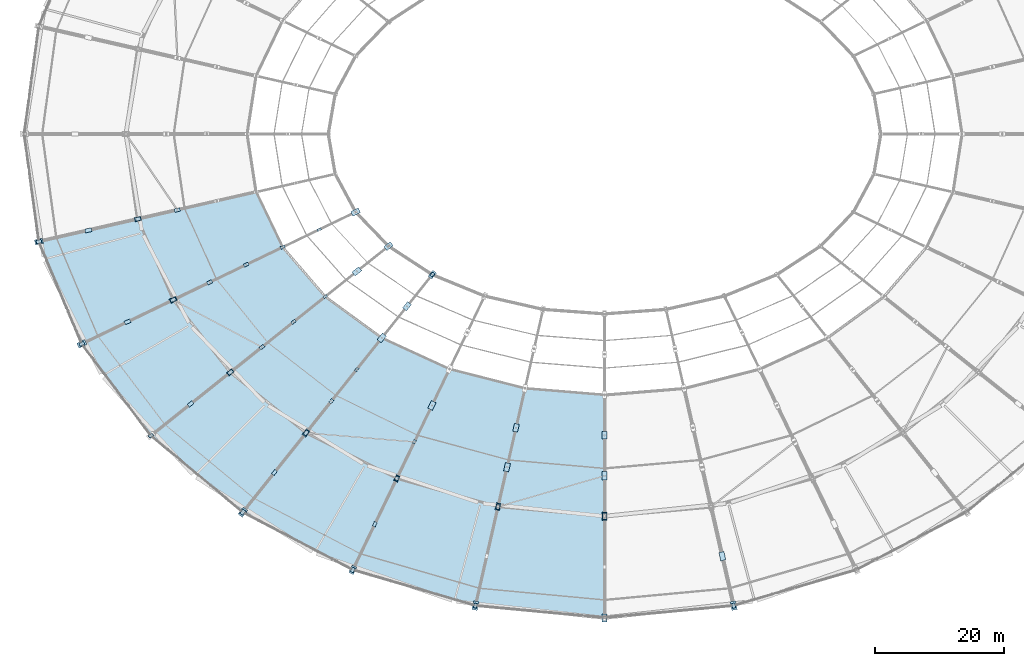
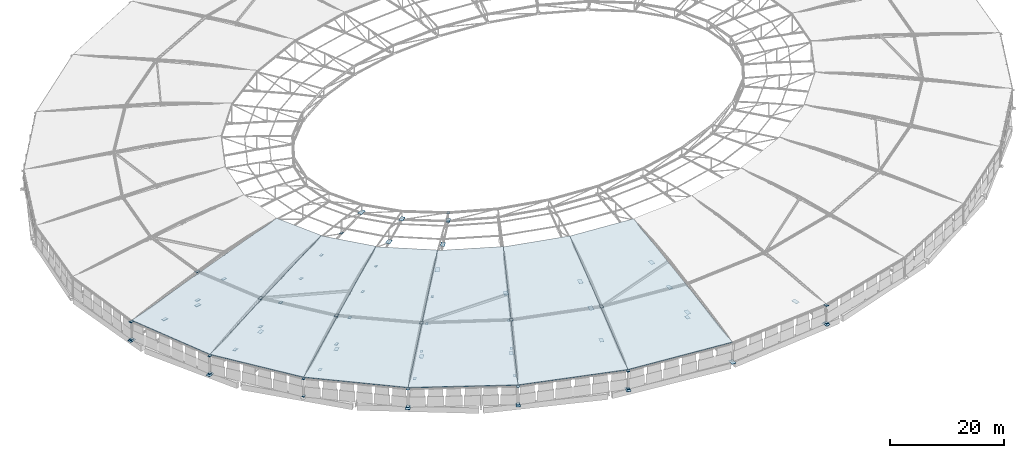
# One storey, part 90 of 108: 77 plates, 6 slabs.
"""IFC4 building model written with IfcOpenShell, lengths in metres."""

from ifc_helpers import new_model, si_unit, direction, frame, origin, origin_2d, place, context, subcontext, project, spatial, polyline, rectangle, outline, extrude, material, layer, layer_set, type_object, element, save


model = new_model("IFC4")

# Units and contexts
model_context = context("Model", 3, precision=1e-05, world=origin(), true_north=direction((0.0, 1.0)))
body_context = subcontext(model_context, "Body", "Model", "MODEL_VIEW")
ifc_project = project(units=[si_unit("LENGTHUNIT", "METRE"), si_unit("AREAUNIT", "SQUARE_METRE"), si_unit("VOLUMEUNIT", "CUBIC_METRE"), si_unit("PLANEANGLEUNIT", "RADIAN"), si_unit("MASSUNIT", "GRAM", prefix="KILO")], contexts=[model_context])

# Site, building, storey
site_placement = place(None, origin())
site = spatial("IfcSite", under=ifc_project, at=site_placement, CompositionType="ELEMENT")
building_placement = place(site_placement, origin())
building = spatial("IfcBuilding", under=site, at=building_placement, Name="Zevraka Park Crest Stadium", CompositionType="ELEMENT")
storey_placement = place(building_placement, frame((0.0, 0.0, 29.39990234375)))
storey = spatial("IfcBuildingStorey", under=building, at=storey_placement, Name="RF", CompositionType="ELEMENT", Elevation=29.39990234375)

# Plates
ifc_material_1 = material(Name="Steel S355", Category="steel")
ifc_layer_1 = layer(ifc_material_1, 0.035888671875)
ifc_layer_set_1 = layer_set([ifc_layer_1], Name="Steel S355")
plate_type_1 = type_object("IfcPlateType", Name="BP01", PredefinedType="SHEET", material=ifc_layer_set_1)
for number, where, z_axis, x_axis, name in (
    (1, (30.64306640625, 59.3291015625, -0.03369140625), (0.0, 0.0, 1.0), (0.90100131981, 0.43381634559, 0.0), "TN1 Roof Truss Heel Base Plate BP01 T17"),
    (2, (55.698974609375, 33.1279296875, -0.03369140625), (0.0, 0.0, 1.0), (0.623470308046, 0.781847027868, 0.0), "TN1 Roof Truss Heel Base Plate BP01 T19"),
    (3, (91.906005859375, 18.587890625, -0.03369140625), (0.0, 0.0, 1.0), (0.222569549971, 0.974916814618, 0.0), "TN1 Roof Truss Heel Base Plate BP01 T21"),
    (4, (132.093994140625, 18.587890625, -0.03369140625), (0.0, 0.0, 1.0), (-0.222569549971, 0.974916814618, 0.0), "TN1 Roof Truss Heel Base Plate BP01 T23"),
):
    element("IfcPlate", number, at=place(storey_placement, frame(where, z_axis=z_axis, x_axis=x_axis)), inside=storey, type_object=plate_type_1, Name=name, PredefinedType="SHEET", context=body_context, shape_type="SweptSolid", body=[
        extrude(rectangle(XDim=1.35009765625, YDim=0.85009765625, at=origin_2d()), origin(), (0.0, 0.0, 1.0), 0.035888671875),
    ])
ifc_material_2 = material(Name="Steel S355", Category="steel")
ifc_layer_2 = layer(ifc_material_2, 0.034912109375)
ifc_layer_set_2 = layer_set([ifc_layer_2], Name="Steel S355")
plate_type_2 = type_object("IfcPlateType", Name="BP02", PredefinedType="SHEET", material=ifc_layer_set_2)
for number, where, z_axis, x_axis, name in (
    (5, (23.964111328125, 75.243896484375, -0.03271484375), (0.0, 0.0, 1.0), (0.974916814618, 0.222569549971, 0.0), "TN1 Roof Truss Heel Base Plate BP02 T16"),
    (6, (72.820068359375, 24.156982421875, -0.03271484375), (0.0, 0.0, 1.0), (0.43381634559, 0.90100131981, 0.0), "TN1 Roof Truss Heel Base Plate BP02 T20"),
    (7, (112.0, 16.699951171875, -0.03271484375), (0.0, 0.0, 1.0), (0.0, 1.0, 0.0), "TN1 Roof Truss Heel Base Plate BP02 T22"),
):
    element("IfcPlate", number, at=place(storey_placement, frame(where, z_axis=z_axis, x_axis=x_axis)), inside=storey, type_object=plate_type_2, Name=name, PredefinedType="SHEET", context=body_context, shape_type="SweptSolid", body=[
        extrude(rectangle(XDim=1.25, YDim=0.800048828125, at=origin_2d()), origin(), (0.0, 0.0, 1.0), 0.034912109375),
    ])
ifc_material_3 = material(Name="Steel S355", Category="steel")
ifc_layer_3 = layer(ifc_material_3, 0.031982421875)
ifc_layer_set_3 = layer_set([ifc_layer_3], Name="Steel S355")
plate_type_3 = type_object("IfcPlateType", Name="BP03", PredefinedType="SHEET", material=ifc_layer_set_3)
for number, where, z_axis, x_axis, name in (
    (8, (44.8779296875, 66.18408203125, -0.02978515625), (0.0, 0.0, 1.0), (0.90100131981, 0.43381634559, 0.0), "TN2 Roof Truss Heel Base Plate BP03 T17"),
    (9, (65.550048828125, 45.48095703125, -0.02978515625), (0.0, 0.0, 1.0), (0.623470308046, 0.781847027868, 0.0), "TN2 Roof Truss Heel Base Plate BP03 T19"),
    (10, (95.422119140625, 33.991943359375, -0.02978515625), (0.0, 0.0, 1.0), (0.222569549971, 0.974916814618, 0.0), "TN2 Roof Truss Heel Base Plate BP03 T21"),
):
    element("IfcPlate", number, at=place(storey_placement, frame(where, z_axis=z_axis, x_axis=x_axis)), inside=storey, type_object=plate_type_3, Name=name, PredefinedType="SHEET", context=body_context, shape_type="SweptSolid", body=[
        extrude(rectangle(XDim=1.14990234375, YDim=0.719970703125, at=origin_2d()), origin(), (0.0, 0.0, 1.0), 0.031982421875),
    ])
ifc_material_4 = material(Name="Steel S355", Category="steel")
ifc_layer_4 = layer(ifc_material_4, 0.030029296875)
ifc_layer_set_4 = layer_set([ifc_layer_4], Name="Steel S355")
plate_type_4 = type_object("IfcPlateType", Name="BP04", PredefinedType="SHEET", material=ifc_layer_set_4)
for number, where, z_axis, x_axis, name in (
    (11, (39.367919921875, 78.760009765625, -0.02783203125), (0.0, 0.0, 1.0), (0.974916814618, 0.222569549971, 0.0), "TN2 Roof Truss Heel Base Plate BP04 T16"),
    (12, (53.75390625, 54.902099609375, -0.02783203125), (0.0, 0.0, 1.0), (0.781847027868, 0.623470308046, 0.0), "TN2 Roof Truss Heel Base Plate BP04 T18"),
    (13, (79.676025390625, 38.39208984375, -0.02783203125), (0.0, 0.0, 1.0), (0.43381634559, 0.90100131981, 0.0), "TN2 Roof Truss Heel Base Plate BP04 T20"),
    (14, (112.0, 32.5, -0.02783203125), (0.0, 0.0, 1.0), (0.0, 1.0, 0.0), "TN2 Roof Truss Heel Base Plate BP04 T22"),
):
    element("IfcPlate", number, at=place(storey_placement, frame(where, z_axis=z_axis, x_axis=x_axis)), inside=storey, type_object=plate_type_4, Name=name, PredefinedType="SHEET", context=body_context, shape_type="SweptSolid", body=[
        extrude(rectangle(XDim=1.050048828125, YDim=0.659912109375, at=origin_2d()), origin(), (0.0, 0.0, 1.0), 0.030029296875),
    ])
ifc_material_5 = material(Name="Steel S355", Category="steel")
ifc_layer_5 = layer(ifc_material_5, 0.02490234375)
ifc_layer_set_5 = layer_set([ifc_layer_5], Name="Steel S355")
plate_type_5 = type_object("IfcPlateType", Name="EC01", PredefinedType="SHEET", material=ifc_layer_set_5)
for number, where, z_axis, x_axis, name in (
    (15, (39.367919921875, 78.760009765625, 7.1982421875), (0.0, 0.0, 1.0), (0.974916814618, 0.222569549971, 0.0), "Hollow Strut Top Closure Cap Plate EC01 T16-2"),
    (16, (23.964111328125, 75.243896484375, 0.237548828125), (0.0, 0.0, 1.0), (0.974916814618, 0.222569549971, 0.0), "TN5 Hollow Chord End Cap Plate EC01 T16-HEEL-B"),
    (17, (23.964111328125, 75.243896484375, 3.987548828125), (0.0, 0.0, 1.0), (0.974916814618, 0.222569549971, 0.0), "TN5 Hollow Chord End Cap Plate EC01 T16-HEEL-T"),
    (18, (44.8779296875, 66.18408203125, 7.1982421875), (0.0, 0.0, 1.0), (0.90100131981, 0.43381634559, 0.0), "Hollow Strut Top Closure Cap Plate EC01 T17-2"),
    (19, (53.75390625, 54.902099609375, 7.1982421875), (0.0, 0.0, 1.0), (0.781847027868, 0.623470308046, 0.0), "Hollow Strut Top Closure Cap Plate EC01 T18-2"),
    (20, (65.550048828125, 45.48095703125, 7.1982421875), (0.0, 0.0, 1.0), (0.623470308046, 0.781847027868, 0.0), "Hollow Strut Top Closure Cap Plate EC01 T19-2"),
    (21, (55.698974609375, 33.1279296875, 0.237548828125), (0.0, 0.0, 1.0), (0.623470308046, 0.781847027868, 0.0), "TN5 Hollow Chord End Cap Plate EC01 T19-HEEL-B"),
    (22, (55.698974609375, 33.1279296875, 3.987548828125), (0.0, 0.0, 1.0), (0.623470308046, 0.781847027868, 0.0), "TN5 Hollow Chord End Cap Plate EC01 T19-HEEL-T"),
    (23, (79.676025390625, 38.39208984375, 7.1982421875), (0.0, 0.0, 1.0), (0.43381634559, 0.90100131981, 0.0), "Hollow Strut Top Closure Cap Plate EC01 T20-2"),
    (24, (95.422119140625, 33.991943359375, 7.1982421875), (0.0, 0.0, 1.0), (0.222569549971, 0.974916814618, 0.0), "Hollow Strut Top Closure Cap Plate EC01 T21-2"),
):
    element("IfcPlate", number, at=place(storey_placement, frame(where, z_axis=z_axis, x_axis=x_axis)), inside=storey, type_object=plate_type_5, Name=name, PredefinedType="SHEET", context=body_context, shape_type="SweptSolid", body=[
        extrude(rectangle(XDim=0.840087890625, YDim=0.5400390625, at=origin_2d()), origin(), (0.0, 0.0, 1.0), 0.02490234375),
    ])
ifc_material_6 = material(Name="Steel S355", Category="steel")
ifc_layer_6 = layer(ifc_material_6, 0.02490234375)
ifc_layer_set_6 = layer_set([ifc_layer_6], Name="Steel S355")
plate_type_6 = type_object("IfcPlateType", Name="EC02", PredefinedType="SHEET", material=ifc_layer_set_6)
for number, where, z_axis, x_axis, name in (
    (25, (23.964111328125, 75.243896484375, 3.998046875), (0.0, 0.0, 1.0), (0.974916814618, 0.222569549971, 0.0), "Hollow Strut Top Closure Cap Plate EC02 T16-0"),
    (26, (30.64306640625, 59.3291015625, 3.998046875), (0.0, 0.0, 1.0), (0.90100131981, 0.43381634559, 0.0), "Hollow Strut Top Closure Cap Plate EC02 T17-0"),
    (27, (30.64306640625, 59.3291015625, 0.237548828125), (0.0, 0.0, 1.0), (0.90100131981, 0.43381634559, 0.0), "TN5 Hollow Chord End Cap Plate EC02 T17-HEEL-B"),
    (28, (30.64306640625, 59.3291015625, 3.987548828125), (0.0, 0.0, 1.0), (0.90100131981, 0.43381634559, 0.0), "TN5 Hollow Chord End Cap Plate EC02 T17-HEEL-T"),
    (29, (41.40087890625, 45.051025390625, 3.998046875), (0.0, 0.0, 1.0), (0.781847027868, 0.623470308046, 0.0), "Hollow Strut Top Closure Cap Plate EC02 T18-0"),
    (30, (55.698974609375, 33.1279296875, 3.998046875), (0.0, 0.0, 1.0), (0.623470308046, 0.781847027868, 0.0), "Hollow Strut Top Closure Cap Plate EC02 T19-0"),
    (31, (72.820068359375, 24.156982421875, 3.998046875), (0.0, 0.0, 1.0), (0.43381634559, 0.90100131981, 0.0), "Hollow Strut Top Closure Cap Plate EC02 T20-0"),
    (32, (72.820068359375, 24.156982421875, 0.237548828125), (0.0, 0.0, 1.0), (0.43381634559, 0.90100131981, 0.0), "TN5 Hollow Chord End Cap Plate EC02 T20-HEEL-B"),
    (33, (72.820068359375, 24.156982421875, 3.987548828125), (0.0, 0.0, 1.0), (0.43381634559, 0.90100131981, 0.0), "TN5 Hollow Chord End Cap Plate EC02 T20-HEEL-T"),
    (34, (91.906005859375, 18.587890625, 3.998046875), (0.0, 0.0, 1.0), (0.222569549971, 0.974916814618, 0.0), "Hollow Strut Top Closure Cap Plate EC02 T21-0"),
    (35, (132.093994140625, 18.587890625, 3.998046875), (0.0, 0.0, 1.0), (-0.222569549971, 0.974916814618, 0.0), "Hollow Strut Top Closure Cap Plate EC02 T23-0"),
    (36, (132.093994140625, 18.587890625, 0.237548828125), (0.0, 0.0, 1.0), (-0.222569549971, 0.974916814618, 0.0), "TN5 Hollow Chord End Cap Plate EC02 T23-HEEL-B"),
    (37, (132.093994140625, 18.587890625, 3.987548828125), (0.0, 0.0, 1.0), (-0.222569549971, 0.974916814618, 0.0), "TN5 Hollow Chord End Cap Plate EC02 T23-HEEL-T"),
):
    element("IfcPlate", number, at=place(storey_placement, frame(where, z_axis=z_axis, x_axis=x_axis)), inside=storey, type_object=plate_type_6, Name=name, PredefinedType="SHEET", context=body_context, shape_type="SweptSolid", body=[
        extrude(rectangle(XDim=0.780029296875, YDim=0.5, at=origin_2d()), origin(), (0.0, 0.0, 1.0), 0.02490234375),
    ])
ifc_material_7 = material(Name="Steel S355", Category="steel")
ifc_layer_7 = layer(ifc_material_7, 0.02197265625)
ifc_layer_set_7 = layer_set([ifc_layer_7], Name="Steel S355")
plate_type_7 = type_object("IfcPlateType", Name="EC03", PredefinedType="SHEET", material=ifc_layer_set_7)
for number, where, z_axis, x_axis, name in (
    (38, (41.40087890625, 45.051025390625, 0.239013671875), (0.0, 0.0, 1.0), (0.781847027868, 0.623470308046, 0.0), "TN5 Hollow Chord End Cap Plate EC03 T18-HEEL-B"),
    (39, (41.40087890625, 45.051025390625, 3.989013671875), (0.0, 0.0, 1.0), (0.781847027868, 0.623470308046, 0.0), "TN5 Hollow Chord End Cap Plate EC03 T18-HEEL-T"),
    (40, (91.906005859375, 18.587890625, 0.239013671875), (0.0, 0.0, 1.0), (0.222569549971, 0.974916814618, 0.0), "TN5 Hollow Chord End Cap Plate EC03 T21-HEEL-B"),
    (41, (91.906005859375, 18.587890625, 3.989013671875), (0.0, 0.0, 1.0), (0.222569549971, 0.974916814618, 0.0), "TN5 Hollow Chord End Cap Plate EC03 T21-HEEL-T"),
):
    element("IfcPlate", number, at=place(storey_placement, frame(where, z_axis=z_axis, x_axis=x_axis)), inside=storey, type_object=plate_type_7, Name=name, PredefinedType="SHEET", context=body_context, shape_type="SweptSolid", body=[
        extrude(rectangle(XDim=0.719970703125, YDim=0.4599609375, at=origin_2d()), origin(), (0.0, 0.0, 1.0), 0.02197265625),
    ])
ifc_material_8 = material(Name="Steel S355", Category="steel")
ifc_layer_8 = layer(ifc_material_8, 0.02001953125)
ifc_layer_set_8 = layer_set([ifc_layer_8], Name="Steel S355")
plate_type_8 = type_object("IfcPlateType", Name="EC04", PredefinedType="SHEET", material=ifc_layer_set_8)
for number, where, z_axis, x_axis, name in (
    (42, (85.18994140625, 70.10888671875, 7.190185546875), (0.0, 0.0, 1.0), (0.623470308046, 0.781847027868, 0.0), "TN5 Hollow Chord End Cap Plate EC04 T19-TIP-B"),
    (43, (85.18994140625, 70.10888671875, 8.989990234375), (0.0, 0.0, 1.0), (0.623470308046, 0.781847027868, 0.0), "TN5 Hollow Chord End Cap Plate EC04 T19-TIP-T"),
):
    element("IfcPlate", number, at=place(storey_placement, frame(where, z_axis=z_axis, x_axis=x_axis)), inside=storey, type_object=plate_type_8, Name=name, PredefinedType="SHEET", context=body_context, shape_type="SweptSolid", body=[
        extrude(rectangle(XDim=0.659912109375, YDim=0.419921875, at=origin_2d()), origin(), (0.0, 0.0, 1.0), 0.02001953125),
    ])
ifc_material_9 = material(Name="Steel S355", Category="steel")
ifc_layer_9 = layer(ifc_material_9, 0.031982421875)
ifc_layer_set_9 = layer_set([ifc_layer_9], Name="Steel S355")
plate_type_9 = type_object("IfcPlateType", Name="GP01", PredefinedType="USERDEFINED", material=ifc_layer_set_9)
for number, where, z_axis, x_axis, name in (
    (44, (85.18994140625, 70.10888671875, 7.3642578125), (0.0, 0.0, 1.0), (0.623470308046, 0.781847027868, 0.0), "TN6 Truss Node Gusset Plate GP01 T19-7"),
    (45, (112.0, 45.10009765625, 4.1142578125), (0.0, 0.0, 1.0), (0.0, 1.0, 0.0), "TN4 Truss Node Gusset Plate GP01 T22-4"),
):
    element("IfcPlate", number, at=place(storey_placement, frame(where, z_axis=z_axis, x_axis=x_axis)), inside=storey, type_object=plate_type_9, Name=name, ObjectType="GUSSET PLATE", PredefinedType="USERDEFINED", context=body_context, shape_type="SweptSolid", body=[
        extrude(rectangle(XDim=1.199951171875, YDim=0.719970703125, at=origin_2d()), origin(), (0.0, 0.0, 1.0), 0.031982421875),
    ])
ifc_material_10 = material(Name="Steel S355", Category="steel")
ifc_layer_10 = layer(ifc_material_10, 0.028076171875)
ifc_layer_set_10 = layer_set([ifc_layer_10], Name="Steel S355")
plate_type_10 = type_object("IfcPlateType", Name="GP04", PredefinedType="USERDEFINED", material=ifc_layer_set_10)
plate_placement = place(storey_placement, frame((31.666015625, 77.001953125, 0.7158203125), z_axis=(0.0, 0.0, 1.0), x_axis=(0.974916814618, 0.222569549971, 0.0)))
element("IfcPlate", 46, at=plate_placement, inside=storey, type_object=plate_type_10, Name="TN1 Truss Node Gusset Plate GP04 T16-1", ObjectType="GUSSET PLATE", PredefinedType="USERDEFINED", context=body_context, shape_type="SweptSolid", body=[
    extrude(rectangle(XDim=1.02001953125, YDim=0.60009765625, at=origin_2d()), origin(), (0.0, 0.0, 1.0), 0.028076171875),
])
ifc_material_11 = material(Name="Steel S355", Category="steel")
ifc_layer_11 = layer(ifc_material_11, 0.02490234375)
ifc_layer_set_11 = layer_set([ifc_layer_11], Name="Steel S355")
plate_type_11 = type_object("IfcPlateType", Name="GP05", PredefinedType="USERDEFINED", material=ifc_layer_set_11)
for number, where, z_axis, x_axis, name in (
    (47, (39.367919921875, 78.760009765625, 1.067626953125), (0.0, 0.0, 1.0), (0.974916814618, 0.222569549971, 0.0), "TN2 Truss Node Gusset Plate GP05 T16-2"),
    (48, (37.760009765625, 62.756103515625, 0.717529296875), (0.0, 0.0, 1.0), (0.90100131981, 0.43381634559, 0.0), "TN1 Truss Node Gusset Plate GP05 T17-1"),
):
    element("IfcPlate", number, at=place(storey_placement, frame(where, z_axis=z_axis, x_axis=x_axis)), inside=storey, type_object=plate_type_11, Name=name, ObjectType="GUSSET PLATE", PredefinedType="USERDEFINED", context=body_context, shape_type="SweptSolid", body=[
        extrude(rectangle(XDim=0.9599609375, YDim=0.56005859375, at=origin_2d()), origin(), (0.0, 0.0, 1.0), 0.02490234375),
    ])
ifc_material_12 = material(Name="Steel S355", Category="steel")
ifc_layer_12 = layer(ifc_material_12, 0.02490234375)
ifc_layer_set_12 = layer_set([ifc_layer_12], Name="Steel S355")
plate_type_12 = type_object("IfcPlateType", Name="GP06", PredefinedType="USERDEFINED", material=ifc_layer_set_12)
for number, where, z_axis, x_axis, name in (
    (49, (45.510009765625, 80.162109375, 2.61767578125), (0.0, 0.0, 1.0), (0.974916814618, 0.222569549971, 0.0), "TN3 Truss Node Gusset Plate GP06 T16-3"),
    (50, (44.8779296875, 66.18408203125, 1.067626953125), (0.0, 0.0, 1.0), (0.90100131981, 0.43381634559, 0.0), "TN2 Truss Node Gusset Plate GP06 T17-2"),
    (51, (47.576904296875, 49.97705078125, 0.717529296875), (0.0, 0.0, 1.0), (0.781847027868, 0.623470308046, 0.0), "TN1 Truss Node Gusset Plate GP06 T18-1"),
):
    element("IfcPlate", number, at=place(storey_placement, frame(where, z_axis=z_axis, x_axis=x_axis)), inside=storey, type_object=plate_type_12, Name=name, ObjectType="GUSSET PLATE", PredefinedType="USERDEFINED", context=body_context, shape_type="SweptSolid", body=[
        extrude(rectangle(XDim=0.89990234375, YDim=0.5400390625, at=origin_2d()), origin(), (0.0, 0.0, 1.0), 0.02490234375),
    ])
ifc_material_13 = material(Name="Steel S355", Category="steel")
ifc_layer_13 = layer(ifc_material_13, 0.02392578125)
ifc_layer_set_13 = layer_set([ifc_layer_13], Name="Steel S355")
plate_type_13 = type_object("IfcPlateType", Name="GP07", PredefinedType="USERDEFINED", material=ifc_layer_set_13)
for number, where, z_axis, x_axis, name in (
    (52, (50.553955078125, 68.9169921875, 2.6181640625), (0.0, 0.0, 1.0), (0.90100131981, 0.43381634559, 0.0), "TN3 Truss Node Gusset Plate GP07 T17-3"),
    (53, (53.75390625, 54.902099609375, 1.068115234375), (0.0, 0.0, 1.0), (0.781847027868, 0.623470308046, 0.0), "TN2 Truss Node Gusset Plate GP07 T18-2"),
    (54, (60.6240234375, 39.304931640625, 0.718017578125), (0.0, 0.0, 1.0), (0.623470308046, 0.781847027868, 0.0), "TN1 Truss Node Gusset Plate GP07 T19-1"),
):
    element("IfcPlate", number, at=place(storey_placement, frame(where, z_axis=z_axis, x_axis=x_axis)), inside=storey, type_object=plate_type_13, Name=name, ObjectType="GUSSET PLATE", PredefinedType="USERDEFINED", context=body_context, shape_type="SweptSolid", body=[
        extrude(rectangle(XDim=0.840087890625, YDim=0.5, at=origin_2d()), origin(), (0.0, 0.0, 1.0), 0.02392578125),
    ])
ifc_material_14 = material(Name="Steel S355", Category="steel")
ifc_layer_14 = layer(ifc_material_14, 0.02197265625)
ifc_layer_set_14 = layer_set([ifc_layer_14], Name="Steel S355")
plate_type_14 = type_object("IfcPlateType", Name="GP08", PredefinedType="USERDEFINED", material=ifc_layer_set_14)
for number, where, z_axis, x_axis, name in (
    (55, (56.22998046875, 71.65087890625, 4.119140625), (0.0, 0.0, 1.0), (0.90100131981, 0.43381634559, 0.0), "TN4 Truss Node Gusset Plate GP08 T17-4"),
    (56, (58.678955078125, 58.830078125, 2.619140625), (0.0, 0.0, 1.0), (0.781847027868, 0.623470308046, 0.0), "TN3 Truss Node Gusset Plate GP08 T18-3"),
    (57, (65.550048828125, 45.48095703125, 1.069091796875), (0.0, 0.0, 1.0), (0.623470308046, 0.781847027868, 0.0), "TN2 Truss Node Gusset Plate GP08 T19-2"),
    (58, (76.248046875, 31.27490234375, 0.718994140625), (0.0, 0.0, 1.0), (0.43381634559, 0.90100131981, 0.0), "TN1 Truss Node Gusset Plate GP08 T20-1"),
):
    element("IfcPlate", number, at=place(storey_placement, frame(where, z_axis=z_axis, x_axis=x_axis)), inside=storey, type_object=plate_type_14, Name=name, ObjectType="GUSSET PLATE", PredefinedType="USERDEFINED", context=body_context, shape_type="SweptSolid", body=[
        extrude(rectangle(XDim=0.780029296875, YDim=0.47998046875, at=origin_2d()), origin(), (0.0, 0.0, 1.0), 0.02197265625),
    ])
ifc_material_15 = material(Name="Steel S355", Category="steel")
ifc_layer_15 = layer(ifc_material_15, 0.02197265625)
ifc_layer_set_15 = layer_set([ifc_layer_15], Name="Steel S355")
plate_type_15 = type_object("IfcPlateType", Name="GP09", PredefinedType="USERDEFINED", material=ifc_layer_set_15)
for number, where, z_axis, x_axis, name in (
    (59, (61.906005859375, 74.384033203125, 5.468994140625), (0.0, 0.0, 1.0), (0.90100131981, 0.43381634559, 0.0), "TN5 Truss Node Gusset Plate GP09 T17-5"),
    (60, (63.60498046875, 62.758056640625, 4.119140625), (0.0, 0.0, 1.0), (0.781847027868, 0.623470308046, 0.0), "TN4 Truss Node Gusset Plate GP09 T18-4"),
    (61, (69.47802734375, 50.406982421875, 2.619140625), (0.0, 0.0, 1.0), (0.623470308046, 0.781847027868, 0.0), "TN3 Truss Node Gusset Plate GP09 T19-3"),
    (62, (79.676025390625, 38.39208984375, 1.069091796875), (0.0, 0.0, 1.0), (0.43381634559, 0.90100131981, 0.0), "TN2 Truss Node Gusset Plate GP09 T20-2"),
):
    element("IfcPlate", number, at=place(storey_placement, frame(where, z_axis=z_axis, x_axis=x_axis)), inside=storey, type_object=plate_type_15, Name=name, ObjectType="GUSSET PLATE", PredefinedType="USERDEFINED", context=body_context, shape_type="SweptSolid", body=[
        extrude(rectangle(XDim=0.719970703125, YDim=0.43994140625, at=origin_2d()), origin(), (0.0, 0.0, 1.0), 0.02197265625),
    ])
ifc_material_16 = material(Name="Steel S355", Category="steel")
ifc_layer_16 = layer(ifc_material_16, 0.02001953125)
ifc_layer_set_16 = layer_set([ifc_layer_16], Name="Steel S355")
plate_type_16 = type_object("IfcPlateType", Name="GP10", PredefinedType="USERDEFINED", material=ifc_layer_set_16)
for number, where, z_axis, x_axis, name in (
    (63, (67.58203125, 77.117919921875, 6.570068359375), (0.0, 0.0, 1.0), (0.90100131981, 0.43381634559, 0.0), "TN6 Truss Node Gusset Plate GP10 T17-6"),
    (64, (68.530029296875, 66.68603515625, 5.469970703125), (0.0, 0.0, 1.0), (0.781847027868, 0.623470308046, 0.0), "TN5 Truss Node Gusset Plate GP10 T18-5"),
    (65, (73.406005859375, 55.33203125, 4.1201171875), (0.0, 0.0, 1.0), (0.623470308046, 0.781847027868, 0.0), "TN4 Truss Node Gusset Plate GP10 T19-4"),
    (66, (82.408935546875, 44.068115234375, 2.6201171875), (0.0, 0.0, 1.0), (0.43381634559, 0.90100131981, 0.0), "TN3 Truss Node Gusset Plate GP10 T20-3"),
):
    element("IfcPlate", number, at=place(storey_placement, frame(where, z_axis=z_axis, x_axis=x_axis)), inside=storey, type_object=plate_type_16, Name=name, ObjectType="GUSSET PLATE", PredefinedType="USERDEFINED", context=body_context, shape_type="SweptSolid", body=[
        extrude(rectangle(XDim=0.659912109375, YDim=0.39990234375, at=origin_2d()), origin(), (0.0, 0.0, 1.0), 0.02001953125),
    ])
ifc_material_17 = material(Name="Steel S355", Category="steel")
ifc_layer_17 = layer(ifc_material_17, 0.034912109375)
ifc_layer_set_17 = layer_set([ifc_layer_17], Name="Steel S355")
plate_type_17 = type_object("IfcPlateType", Name="GP11", PredefinedType="USERDEFINED", material=ifc_layer_set_17)
for number, where, z_axis, x_axis, name in (
    (67, (73.258056640625, 79.85107421875, 7.36279296875), (0.0, 0.0, 1.0), (0.90100131981, 0.43381634559, 0.0), "TN6 Truss Node Gusset Plate GP11 T17-7"),
    (68, (73.4560546875, 70.614013671875, 6.5625), (0.0, 0.0, 1.0), (0.781847027868, 0.623470308046, 0.0), "TN6 Truss Node Gusset Plate GP11 T18-6"),
    (69, (77.333984375, 60.258056640625, 5.46240234375), (0.0, 0.0, 1.0), (0.623470308046, 0.781847027868, 0.0), "TN5 Truss Node Gusset Plate GP11 T19-5"),
    (70, (85.14306640625, 49.7451171875, 4.11279296875), (0.0, 0.0, 1.0), (0.43381634559, 0.90100131981, 0.0), "TN4 Truss Node Gusset Plate GP11 T20-4"),
    (71, (96.823974609375, 40.134033203125, 2.61279296875), (0.0, 0.0, 1.0), (0.222569549971, 0.974916814618, 0.0), "TN3 Truss Node Gusset Plate GP11 T21-3"),
    (72, (112.0, 32.5, 1.0625), (0.0, 0.0, 1.0), (0.0, 1.0, 0.0), "TN2 Truss Node Gusset Plate GP11 T22-2"),
    (73, (130.3359375, 26.2900390625, 0.71240234375), (0.0, 0.0, 1.0), (-0.222569549971, 0.974916814618, 0.0), "TN1 Truss Node Gusset Plate GP11 T23-1"),
):
    element("IfcPlate", number, at=place(storey_placement, frame(where, z_axis=z_axis, x_axis=x_axis)), inside=storey, type_object=plate_type_17, Name=name, ObjectType="GUSSET PLATE", PredefinedType="USERDEFINED", context=body_context, shape_type="SweptSolid", body=[
        extrude(rectangle(XDim=1.320068359375, YDim=0.800048828125, at=origin_2d()), origin(), (0.0, 0.0, 1.0), 0.034912109375),
    ])
ifc_material_18 = material(Name="Steel S355", Category="steel")
ifc_layer_18 = layer(ifc_material_18, 0.031982421875)
ifc_layer_set_18 = layer_set([ifc_layer_18], Name="Steel S355")
plate_type_18 = type_object("IfcPlateType", Name="GP12", PredefinedType="USERDEFINED", material=ifc_layer_set_18)
for number, where, z_axis, x_axis, name in (
    (74, (78.381103515625, 74.5419921875, 7.3642578125), (0.0, 0.0, 1.0), (0.781847027868, 0.623470308046, 0.0), "TN6 Truss Node Gusset Plate GP12 T18-7"),
    (75, (81.261962890625, 65.18310546875, 6.56396484375), (0.0, 0.0, 1.0), (0.623470308046, 0.781847027868, 0.0), "TN6 Truss Node Gusset Plate GP12 T19-6"),
    (76, (98.22607421875, 46.27587890625, 4.1142578125), (0.0, 0.0, 1.0), (0.222569549971, 0.974916814618, 0.0), "TN4 Truss Node Gusset Plate GP12 T21-4"),
    (77, (112.0, 38.800048828125, 2.6142578125), (0.0, 0.0, 1.0), (0.0, 1.0, 0.0), "TN3 Truss Node Gusset Plate GP12 T22-3"),
):
    element("IfcPlate", number, at=place(storey_placement, frame(where, z_axis=z_axis, x_axis=x_axis)), inside=storey, type_object=plate_type_18, Name=name, ObjectType="GUSSET PLATE", PredefinedType="USERDEFINED", context=body_context, shape_type="SweptSolid", body=[
        extrude(rectangle(XDim=1.260009765625, YDim=0.760009765625, at=origin_2d()), origin(), (0.0, 0.0, 1.0), 0.031982421875),
    ])

# Slabs
ifc_material_19 = material(Name="Concrete C35/45", Category="concrete")
ifc_layer_19 = layer(ifc_material_19, 0.179931640625)
ifc_layer_set_19 = layer_set([ifc_layer_19], Name="Concrete C35/45")
slab_type = type_object("IfcSlabType", Name="RS01", PredefinedType="ROOF", material=ifc_layer_set_19)
slab_1_placement = place(storey_placement, frame((23.964111328125, 75.243896484375, 4.239990234375), z_axis=(-0.142925899386, -0.059986393758, 0.987913872688), x_axis=(0.386974092071, -0.922090587766, -4.321156e-06)))
element("IfcSlab", 78, at=slab_1_placement, inside=storey, type_object=slab_type, Name="Canopy Arched Roof Deck Slab RS01 OUTER-16", PredefinedType="ROOF", context=body_context, shape_type="SweptSolid", body=[
    extrude(outline(polyline([(0.0, 0.0), (17.25946518103185, 0.0), (15.475378531929191, 35.07706488870286), (5.970707714320886, 34.60065000399578), (0.0, 0.0)])), origin(), (0.0, 0.0, -1.0), 0.179931640625),
])
slab_2_placement = place(storey_placement, frame((30.64306640625, 59.3291015625, 4.239990234375), z_axis=(-0.124011191894, -0.093432610331, 0.98787224458), x_axis=(0.601761519899, -0.798675824826, 2.830524e-06)))
element("IfcSlab", 79, at=slab_2_placement, inside=storey, type_object=slab_type, Name="Canopy Arched Roof Deck Slab RS01 OUTER-17", PredefinedType="ROOF", context=body_context, shape_type="SweptSolid", body=[
    extrude(outline(polyline([(0.0, 0.0), (17.877191864283304, 0.0), (16.923126798971794, 35.112354930802496), (6.7888391547784215, 34.44617938563021), (0.0, 0.0)])), origin(), (0.0, 0.0, -1.0), 0.179931640625),
])
slab_3_placement = place(storey_placement, frame((41.40087890625, 45.051025390625, 4.239990234375), z_axis=(-0.099486559587, -0.119302637189, 0.987860974642), x_axis=(0.768009420077, -0.640438545587, 6.14953e-07)))
element("IfcSlab", 80, at=slab_3_placement, inside=storey, type_object=slab_type, Name="Canopy Arched Roof Deck Slab RS01 OUTER-18", PredefinedType="ROOF", context=body_context, shape_type="SweptSolid", body=[
    extrude(outline(polyline([(0.0, 0.0), (18.61708226015734, 0.0), (17.857797870937674, 35.11839210854259), (6.979552157535769, 34.408124214685195), (0.0, 0.0)])), origin(), (0.0, 0.0, -1.0), 0.179931640625),
])
slab_4_placement = place(storey_placement, frame((55.698974609375, 33.1279296875, 4.239990234375), z_axis=(-0.072029366574, -0.137456281967, 0.987885388544), x_axis=(0.885772532336, -0.464119619202, 5.544357e-06)))
element("IfcSlab", 81, at=slab_4_placement, inside=storey, type_object=slab_type, Name="Canopy Arched Roof Deck Slab RS01 OUTER-19", PredefinedType="ROOF", context=body_context, shape_type="SweptSolid", body=[
    extrude(outline(polyline([(0.0, 0.0), (19.328987196103824, 0.0), (18.154930541505298, 35.105770040432944), (6.5721028718500705, 34.49017194523897), (0.0, 0.0)])), origin(), (0.0, 0.0, -1.0), 0.179931640625),
])
slab_5_placement = place(storey_placement, frame((72.820068359375, 24.156982421875, 4.239990234375), z_axis=(-0.043398259759, -0.148725371122, 0.987925784173), x_axis=(0.959968018352, -0.280109628072, 1.551768e-06)))
element("IfcSlab", 82, at=slab_5_placement, inside=storey, type_object=slab_type, Name="Canopy Arched Roof Deck Slab RS01 OUTER-20", PredefinedType="ROOF", context=body_context, shape_type="SweptSolid", body=[
    extrude(outline(polyline([(0.0, 0.0), (19.881845832189512, 8.881784197001252e-16), (17.818523575519016, 35.062130843250785), (5.6958748048157695, 34.6480070270648), (0.0, 0.0)])), origin(), (0.0, 0.0, -1.0), 0.179931640625),
])
slab_6_placement = place(storey_placement, frame((91.906005859375, 18.587890625, 4.239990234375), z_axis=(-0.014474152486, -0.154070025382, 0.987953908939), x_axis=(0.995615222216, -0.093543194774, -1.534332e-06)))
element("IfcSlab", 83, at=slab_6_placement, inside=storey, type_object=slab_type, Name="Canopy Arched Roof Deck Slab RS01 OUTER-21", PredefinedType="ROOF", context=body_context, shape_type="SweptSolid", body=[
    extrude(outline(polyline([(0.0, 0.0), (20.18249032951968, 0.0), (16.936537735548065, 34.96903492543122), (4.523483052420621, 34.82356688290143), (0.0, 0.0)])), origin(), (0.0, 0.0, -1.0), 0.179931640625),
])

save(model, "model.ifc")
